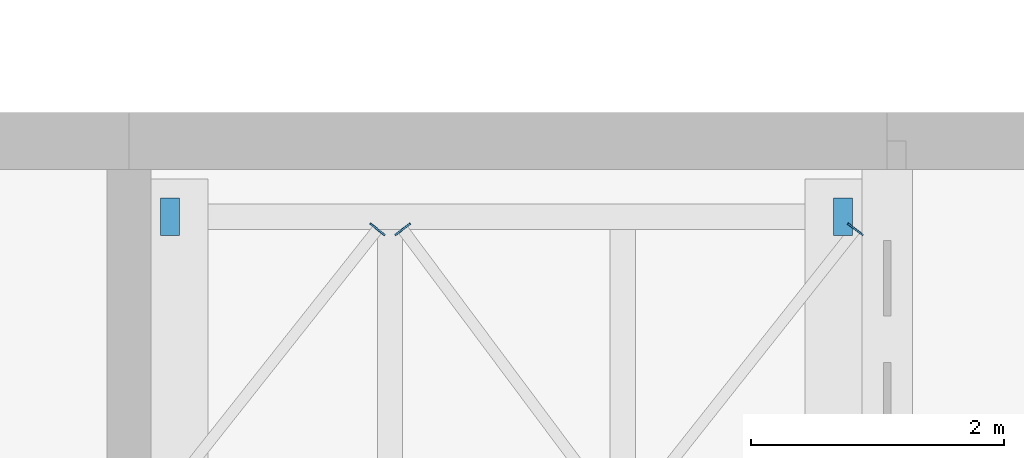
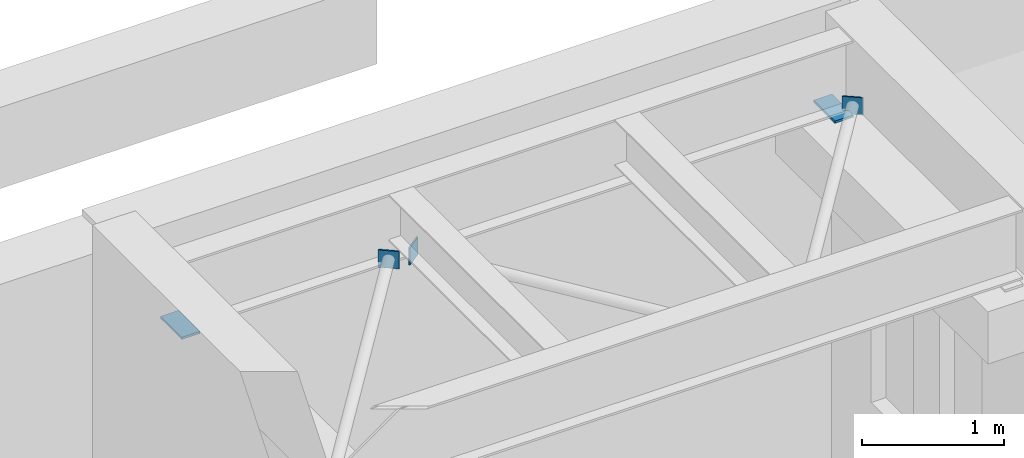
# One storey, part 93 of 103: 5 discrete accessories.
"""IFC4 building model written with IfcOpenShell, lengths in metres."""

from ifc_helpers import new_model, si_unit, direction, frame, origin, origin_2d, place, context, subcontext, project, spatial, rectangle, extrude, material, material_profile, profile_set, type_object, element, save


model = new_model("IFC4")

# Units and contexts
model_context = context("Model", 3, precision=1e-05, world=origin(), true_north=direction((0.0, 1.0)))
body_context = subcontext(model_context, "Body", "Model", "MODEL_VIEW")
ifc_project = project(units=[si_unit("LENGTHUNIT", "METRE"), si_unit("AREAUNIT", "SQUARE_METRE"), si_unit("VOLUMEUNIT", "CUBIC_METRE"), si_unit("PLANEANGLEUNIT", "RADIAN"), si_unit("MASSUNIT", "GRAM", prefix="KILO")], contexts=[model_context])

# Site, building, storey
site_placement = place(None, origin())
site = spatial("IfcSite", under=ifc_project, at=site_placement, CompositionType="ELEMENT")
building_placement = place(site_placement, origin())
building = spatial("IfcBuilding", under=site, at=building_placement, Name="Laocheng Heights Fire and Rescue Headquarters", CompositionType="ELEMENT")
storey_placement = place(building_placement, frame((0.0, 0.0, 4.199951171875)))
storey = spatial("IfcBuildingStorey", under=building, at=storey_placement, Name="L01", CompositionType="ELEMENT", Elevation=4.199951171875)

# Discrete accessories
ifc_material_1 = material(Name="Steel Q355B, dark grey painted", Category="steel")
ifc_material_profile_1 = material_profile(ifc_material_1, rectangle(XDim=0.14990234375, YDim=0.14990234375, at=origin_2d()), Name="GUSSET PLATE 150 x 150 x 12 FOR STEEL BRIDGE PLAN BRACE CHS 88.9x5")
ifc_profile_set_1 = profile_set([ifc_material_profile_1], Name="Steel Q355B, dark grey painted")
discrete_accessory_type_1 = type_object("IfcDiscreteAccessoryType", Name="GUSSET PLATE 150 x 150 x 12 FOR STEEL BRIDGE PLAN BRACE CHS 88.9x5", PredefinedType="BRACKET", material=ifc_profile_set_1)
discrete_accessory_placement = place(storey_placement, frame((35.746337890625, 56.895263671875, 3.4443359375), z_axis=(0.60971076085, 0.792623989105, 0.0), x_axis=(-0.792623989105, 0.60971076085, 0.0)))
element("IfcDiscreteAccessory", 1, at=discrete_accessory_placement, inside=storey, type_object=discrete_accessory_type_1, Name="End plate at M2-Q end 2", PredefinedType="BRACKET", context=body_context, shape_type="SweptSolid", body=[
    extrude(rectangle(XDim=0.14990234375, YDim=0.14990234375, at=origin_2d()), origin(), (0.0, 0.0, 1.0), 0.011962890625),
])
ifc_material_2 = material(Name="Steel Q355B, dark grey painted", Category="steel")
ifc_material_profile_2 = material_profile(ifc_material_2, rectangle(XDim=0.14990234375, YDim=0.14990234375, at=origin_2d()), Name="GUSSET PLATE 150 x 150 x 13 FOR STEEL BRIDGE PLAN BRACE CHS 88.9x5")
ifc_profile_set_2 = profile_set([ifc_material_profile_2], Name="Steel Q355B, dark grey painted")
discrete_accessory_type_2 = type_object("IfcDiscreteAccessoryType", Name="GUSSET PLATE 150 x 150 x 13 FOR STEEL BRIDGE PLAN BRACE CHS 88.9x5", PredefinedType="BRACKET", material=ifc_profile_set_2)
for number, where, z_axis, x_axis, name in (
    (2, (31.962890625, 56.895263671875, 3.4443359375), (0.617821551932, 0.786318338822, 0.0), (-0.786318338822, 0.617821551932, 0.0), "End plate at M2-Q end 2"),
    (3, (32.16259765625, 56.905517578125, 3.4443359375), (0.606043215263, -0.795431720032, 0.0), (0.795431720032, 0.606043215263, 0.0), "End plate at M2-Q end 1"),
):
    element("IfcDiscreteAccessory", number, at=place(storey_placement, frame(where, z_axis=z_axis, x_axis=x_axis)), inside=storey, type_object=discrete_accessory_type_2, Name=name, PredefinedType="BRACKET", context=body_context, shape_type="SweptSolid", body=[
        extrude(rectangle(XDim=0.14990234375, YDim=0.14990234375, at=origin_2d()), origin(), (0.0, 0.0, 1.0), 0.012939453125),
    ])
ifc_material_3 = material(Name="PTFE on stainless steel plate", Category="steel")
discrete_accessory_type_3 = type_object("IfcDiscreteAccessoryType", Name="SLIDING BEARING PAD 150 x 300 x 20", PredefinedType="SHOE", material=ifc_material_3)
for number, where, z_axis, x_axis, name in (
    (4, (30.324951171875, 57.0, 3.380126953125), (0.0, 0.0, 1.0), (1.0, 0.0, 0.0), "Sliding bearing pad B2"),
    (5, (35.64990234375, 57.0, 3.380126953125), (0.0, 0.0, 1.0), (1.0, 0.0, 0.0), "Sliding bearing pad B2"),
):
    element("IfcDiscreteAccessory", number, at=place(storey_placement, frame(where, z_axis=z_axis, x_axis=x_axis)), inside=storey, type_object=discrete_accessory_type_3, Name=name, PredefinedType="SHOE", context=body_context, shape_type="SweptSolid", body=[
        extrude(rectangle(XDim=0.14990234375, YDim=0.300048828125, at=origin_2d()), origin(), (0.0, 0.0, 1.0), 0.02001953125),
    ])

save(model, "model.ifc")
